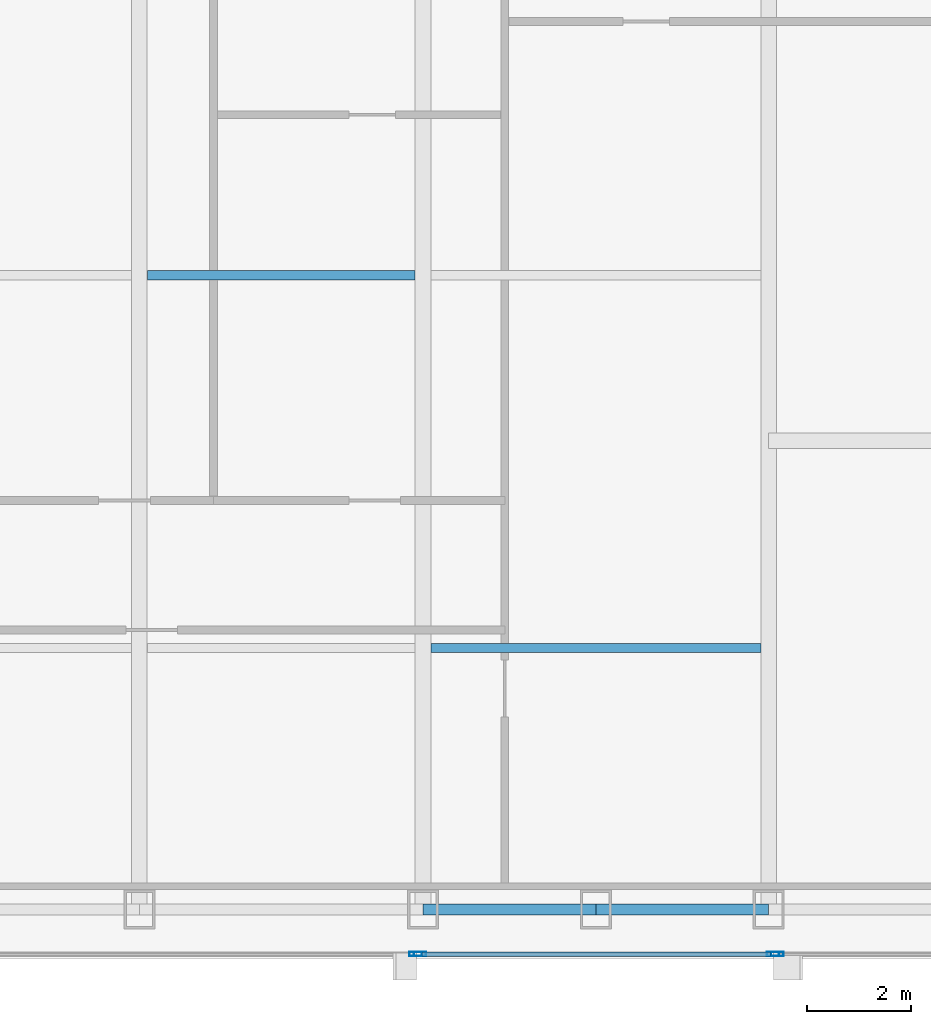
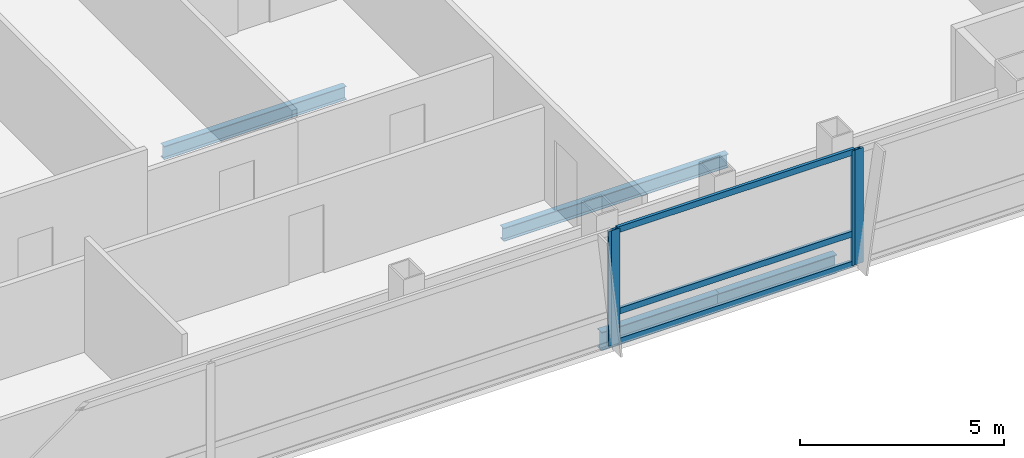
# One storey, part 14 of 30: 7 members, 4 beams, 3 elements without a shape of their own.
"""IFC4 building model written with IfcOpenShell, lengths in metres."""

from ifc_helpers import new_model, si_unit, direction, frame, origin, origin_2d, place, context, subcontext, project, spatial, hollow_rectangle, i_section, extrude, material, material_profile, profile_set, type_object, element, aggregate, save


model = new_model("IFC4")

# Units and contexts
model_context = context("Model", 3, precision=1e-05, world=origin(), true_north=direction((0.0, 1.0)))
body_context = subcontext(model_context, "Body", "Model", "MODEL_VIEW")
ifc_project = project(units=[si_unit("LENGTHUNIT", "METRE"), si_unit("AREAUNIT", "SQUARE_METRE"), si_unit("VOLUMEUNIT", "CUBIC_METRE"), si_unit("PLANEANGLEUNIT", "RADIAN"), si_unit("MASSUNIT", "GRAM", prefix="KILO")], contexts=[model_context])

# Site, building, storey
site_placement = place(None, origin())
site = spatial("IfcSite", under=ifc_project, at=site_placement, CompositionType="ELEMENT")
building_placement = place(site_placement, origin())
building = spatial("IfcBuilding", under=site, at=building_placement, Name="Khoronbel Lancet Exchange", CompositionType="ELEMENT")
storey_placement = place(building_placement, frame((0.0, 0.0, 277.0)))
storey = spatial("IfcBuildingStorey", under=building, at=storey_placement, Name="L71", CompositionType="ELEMENT", Elevation=277.0)

# Beams
ifc_material_1 = material(Name="Steel S355", Category="steel")
ifc_material_profile_1 = material_profile(ifc_material_1, i_section(OverallWidth=0.179931640625, OverallDepth=0.39990234375, WebThickness=0.008544921875, FlangeThickness=0.013427734375, at=origin_2d()), Name="IPE 400")
ifc_profile_set_1 = profile_set([ifc_material_profile_1], Name="Steel S355")
beam_type_1 = type_object("IfcBeamType", Name="BM-BJ5", PredefinedType="JOIST", material=ifc_profile_set_1)
beam_1_placement = place(storey_placement, frame((48.14990234375, 15.199951171875, -0.360107421875), z_axis=(1.0, 0.0, 0.0), x_axis=(0.0, 1.0, 0.0)))
element("IfcBeam", 1, at=beam_1_placement, inside=storey, type_object=beam_type_1, Name="Level L71 secondary composite joist J05", PredefinedType="JOIST", context=body_context, shape_type="SweptSolid", body=[
    extrude(i_section(OverallWidth=0.179931640625, OverallDepth=0.39990234375, WebThickness=0.008544921875, FlangeThickness=0.013427734375, at=origin_2d()), origin(), (0.0, 0.0, 1.0), 6.375),
])
beam_2_placement = place(storey_placement, frame((42.675048828125, 22.39990234375, -0.360107421875), z_axis=(1.0, 0.0, 0.0), x_axis=(0.0, 1.0, 0.0)))
element("IfcBeam", 2, at=beam_2_placement, inside=storey, type_object=beam_type_1, Name="Level L71 secondary composite joist J09", PredefinedType="JOIST", context=body_context, shape_type="SweptSolid", body=[
    extrude(i_section(OverallWidth=0.179931640625, OverallDepth=0.39990234375, WebThickness=0.008544921875, FlangeThickness=0.013427734375, at=origin_2d()), origin(), (0.0, 0.0, 1.0), 5.175048828125),
])
ifc_material_profile_2 = material_profile(ifc_material_1, i_section(OverallWidth=0.2099609375, OverallDepth=0.550048828125, WebThickness=0.010986328125, FlangeThickness=0.01708984375, at=origin_2d()), Name="IPE 550")
ifc_profile_set_2 = profile_set([ifc_material_profile_2], Name="Steel S355")
beam_type_2 = type_object("IfcBeamType", Name="BM-BSP3", PredefinedType="SPANDREL", material=ifc_profile_set_2)
beam_3_placement = place(storey_placement, frame((48.0, 10.14990234375, -0.43505859375), z_axis=(1.0, 0.0, 0.0), x_axis=(0.0, 1.0, 0.0)))
element("IfcBeam", 3, at=beam_3_placement, inside=storey, type_object=beam_type_2, Name="Level L71 perimeter spandrel beam SP07", PredefinedType="SPANDREL", context=body_context, shape_type="SweptSolid", body=[
    extrude(i_section(OverallWidth=0.2099609375, OverallDepth=0.550048828125, WebThickness=0.010986328125, FlangeThickness=0.01708984375, at=origin_2d()), origin(), (0.0, 0.0, 1.0), 3.33740234375),
])
beam_4_placement = place(storey_placement, frame((51.33740234375, 10.14990234375, -0.43505859375), z_axis=(1.0, 0.0, 0.0), x_axis=(0.0, 1.0, 0.0)))
element("IfcBeam", 4, at=beam_4_placement, inside=storey, type_object=beam_type_2, Name="Level L71 perimeter spandrel beam SP08", PredefinedType="SPANDREL", context=body_context, shape_type="SweptSolid", body=[
    extrude(i_section(OverallWidth=0.2099609375, OverallDepth=0.550048828125, WebThickness=0.010986328125, FlangeThickness=0.01708984375, at=origin_2d()), origin(), (0.0, 0.0, 1.0), 3.337646484375),
])

# Curtain wall, member
ifc_material_2 = material(Name="Low-E Solar Control Insulating Glass", Category="glass")
curtain_wall_type = type_object("IfcCurtainWallType", Name="CW-3", PredefinedType="NOTDEFINED", material=ifc_material_2)
curtain_wall_1_placement = place(storey_placement, origin())
curtain_wall_1 = element("IfcCurtainWall", 5, at=curtain_wall_1_placement, inside=storey, type_object=curtain_wall_type, Name="Unitised curtain wall CW-L71-SCV", PredefinedType="NOTDEFINED")
ifc_material_3 = material(Name="Bronze-Anodised Aluminium 6063-T6", Category="aluminium")
ifc_material_profile_3 = material_profile(ifc_material_3, hollow_rectangle(XDim=0.0849609375, YDim=0.239990234375, WallThickness=0.006103515625, at=origin_2d()), Name="ALU MULLION 85x240")
ifc_profile_set_3 = profile_set([ifc_material_profile_3], Name="Bronze-Anodised Aluminium 6063-T6")
member_type_1 = type_object("IfcMemberType", Name="MEM-CWM1", PredefinedType="MULLION", material=ifc_profile_set_3)
member_1_placement = place(storey_placement, frame((47.857421875, 9.2900390625, 0.0), z_axis=(0.0, 0.0, 1.0), x_axis=(0.0, 1.0, 0.0)))
member_1 = element("IfcMember", 6, at=member_1_placement, type_object=member_type_1, Name="CW3 mullion 3", PredefinedType="MULLION", context=body_context, shape_type="SweptSolid", body=[
    extrude(hollow_rectangle(XDim=0.0849609375, YDim=0.239990234375, WallThickness=0.006103515625, at=origin_2d()), origin(), (0.0, 0.0, 1.0), 3.43994140625),
])
aggregate(curtain_wall_1, [member_1])

# Curtain wall, members
curtain_wall_2_placement = place(storey_placement, origin())
curtain_wall_2 = element("IfcCurtainWall", 7, at=curtain_wall_2_placement, inside=storey, type_object=curtain_wall_type, Name="Unitised curtain wall CW-L71-SEB", PredefinedType="NOTDEFINED")
member_2_placement = place(storey_placement, frame((47.9423828125, 9.2900390625, 0.0), z_axis=(0.0, 0.0, 1.0), x_axis=(0.0, 1.0, 0.0)))
member_2 = element("IfcMember", 8, at=member_2_placement, type_object=member_type_1, Name="CW3 mullion 1", PredefinedType="MULLION", context=body_context, shape_type="SweptSolid", body=[
    extrude(hollow_rectangle(XDim=0.0849609375, YDim=0.239990234375, WallThickness=0.006103515625, at=origin_2d()), origin(), (0.0, 0.0, 1.0), 3.43994140625),
])
member_3_placement = place(storey_placement, frame((54.757568359375, 9.2900390625, 0.0), z_axis=(0.0, 0.0, 1.0), x_axis=(0.0, 1.0, 0.0)))
member_3 = element("IfcMember", 9, at=member_3_placement, type_object=member_type_1, Name="CW3 mullion 2", PredefinedType="MULLION", context=body_context, shape_type="SweptSolid", body=[
    extrude(hollow_rectangle(XDim=0.0849609375, YDim=0.239990234375, WallThickness=0.006103515625, at=origin_2d()), origin(), (0.0, 0.0, 1.0), 3.43994140625),
])

# Curtain wall, member
curtain_wall_3_placement = place(storey_placement, origin())
curtain_wall_3 = element("IfcCurtainWall", 10, at=curtain_wall_3_placement, inside=storey, type_object=curtain_wall_type, Name="Unitised curtain wall CW-L71-SEV", PredefinedType="NOTDEFINED")
member_4_placement = place(storey_placement, frame((54.842529296875, 9.2900390625, 0.0), z_axis=(0.0, 0.0, 1.0), x_axis=(0.0, 1.0, 0.0)))
member_4 = element("IfcMember", 11, at=member_4_placement, type_object=member_type_1, Name="CW3 mullion 1", PredefinedType="MULLION", context=body_context, shape_type="SweptSolid", body=[
    extrude(hollow_rectangle(XDim=0.0849609375, YDim=0.239990234375, WallThickness=0.006103515625, at=origin_2d()), origin(), (0.0, 0.0, 1.0), 3.43994140625),
])
aggregate(curtain_wall_3, [member_4])

# Member
ifc_material_profile_4 = material_profile(ifc_material_3, hollow_rectangle(XDim=0.0849609375, YDim=0.179931640625, WallThickness=0.0048828125, at=origin_2d()), Name="ALU TRANSOM 85x180")
ifc_profile_set_4 = profile_set([ifc_material_profile_4], Name="Bronze-Anodised Aluminium 6063-T6")
member_type_2 = type_object("IfcMemberType", Name="MEM-CWT1", PredefinedType="USERDEFINED", material=ifc_profile_set_4)
member_5_placement = place(storey_placement, frame((47.985107421875, 9.2900390625, 0.04248046875), z_axis=(1.0, 0.0, 0.0), x_axis=(0.0, 1.0, 0.0)))
member_5 = element("IfcMember", 12, at=member_5_placement, type_object=member_type_2, Name="CW3 transom 1.1", ObjectType="TRANSOM", PredefinedType="USERDEFINED", context=body_context, shape_type="SweptSolid", body=[
    extrude(hollow_rectangle(XDim=0.0849609375, YDim=0.179931640625, WallThickness=0.0048828125, at=origin_2d()), origin(), (0.0, 0.0, 1.0), 6.72998046875),
])

member_6_placement = place(storey_placement, frame((47.985107421875, 9.2900390625, 0.949951171875), z_axis=(1.0, 0.0, 0.0), x_axis=(0.0, 1.0, 0.0)))
member_6 = element("IfcMember", 13, at=member_6_placement, type_object=member_type_2, Name="CW3 transom 1.2", ObjectType="TRANSOM", PredefinedType="USERDEFINED", context=body_context, shape_type="SweptSolid", body=[
    extrude(hollow_rectangle(XDim=0.0849609375, YDim=0.179931640625, WallThickness=0.0048828125, at=origin_2d()), origin(), (0.0, 0.0, 1.0), 6.72998046875),
])

member_7_placement = place(storey_placement, frame((47.985107421875, 9.2900390625, 3.3974609375), z_axis=(1.0, 0.0, 0.0), x_axis=(0.0, 1.0, 0.0)))
member_7 = element("IfcMember", 14, at=member_7_placement, type_object=member_type_2, Name="CW3 transom 1.3", ObjectType="TRANSOM", PredefinedType="USERDEFINED", context=body_context, shape_type="SweptSolid", body=[
    extrude(hollow_rectangle(XDim=0.0849609375, YDim=0.179931640625, WallThickness=0.0048828125, at=origin_2d()), origin(), (0.0, 0.0, 1.0), 6.72998046875),
])

aggregate(curtain_wall_2, [member_2, member_3, member_5, member_6, member_7])

save(model, "model.ifc")
